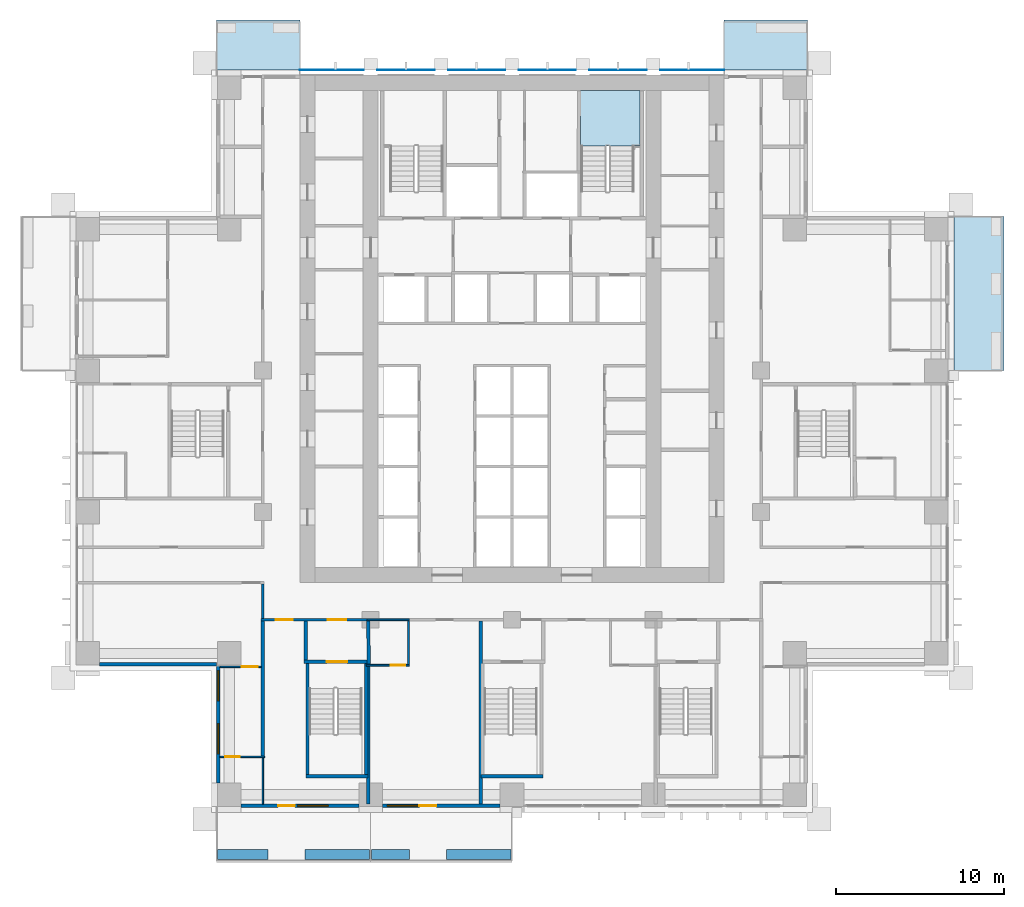
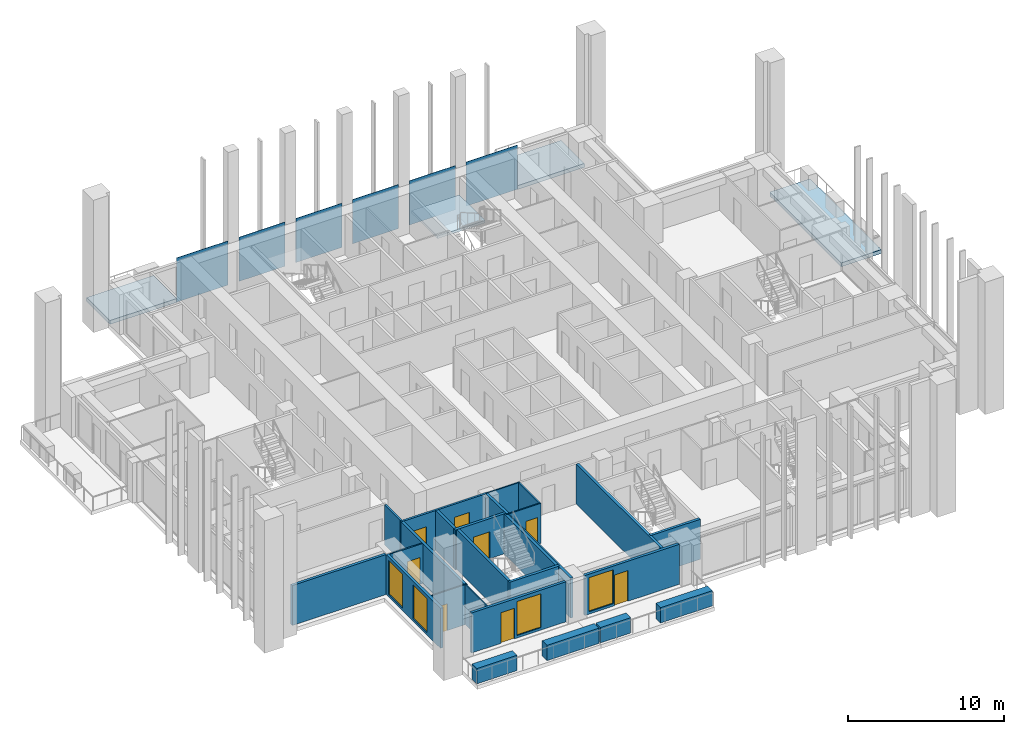
# One storey, part 6 of 17: 26 walls, 8 doors, 6 plates, 4 slabs, 4 windows, 12 openings, 1 element without a shape of its own.
"""IFC4 building model written with IfcOpenShell, lengths in metres."""

from ifc_helpers import new_model, si_unit, direction, frame, frame_2d, origin, origin_2d, place, context, subcontext, project, spatial, polyline, rectangle, outline, extrude, material, layer, layer_set, type_object, element, fill, aggregate, save


model = new_model("IFC4")

# Units and contexts
model_context = context("Model", 3, precision=1e-05, world=origin(), true_north=direction((0.0, 1.0)))
body_context = subcontext(model_context, "Body", "Model", "MODEL_VIEW")
ifc_project = project(units=[si_unit("LENGTHUNIT", "METRE"), si_unit("AREAUNIT", "SQUARE_METRE"), si_unit("VOLUMEUNIT", "CUBIC_METRE"), si_unit("PLANEANGLEUNIT", "RADIAN"), si_unit("MASSUNIT", "GRAM", prefix="KILO")], contexts=[model_context])

# Site, building, storey
site_placement = place(None, origin())
site = spatial("IfcSite", under=ifc_project, at=site_placement, CompositionType="ELEMENT")
building_placement = place(site_placement, origin())
building = spatial("IfcBuilding", under=site, at=building_placement, Name="Vermilion Ogive Tower", CompositionType="ELEMENT")
storey_placement = place(building_placement, frame((0.0, 0.0, 37.949951171875)))
storey = spatial("IfcBuildingStorey", under=building, at=storey_placement, Name="L07", CompositionType="ELEMENT", Elevation=37.949951171875)

# Slabs
ifc_material_1 = material(Name="Concrete B40", Category="concrete")
ifc_layer_1 = layer(ifc_material_1, 0.300048828125)
ifc_layer_set_1 = layer_set([ifc_layer_1], Name="Balcony slab")
slab_type_1 = type_object("IfcSlabType", Name="Balcony slab", PredefinedType="FLOOR", material=ifc_layer_set_1)
slab_1_placement = place(storey_placement, frame((0.0, 0.0, -0.33984375)))
element("IfcSlab", 1, at=slab_1_placement, inside=storey, type_object=slab_type_1, Name="Balcony slab E03", PredefinedType="FLOOR", context=body_context, shape_type="SweptSolid", body=[
    extrude(outline(polyline([(29.22998046875, 4.199951171875), (29.22998046875, 13.35009765625), (26.25, 13.35009765625), (26.25, 4.199951171875), (29.22998046875, 4.199951171875)])), origin(), (0.0, 0.0, 1.0), 0.2998046875),
])
slab_2_placement = place(storey_placement, frame((0.0, 0.0, -0.33984375)))
element("IfcSlab", 2, at=slab_2_placement, inside=storey, type_object=slab_type_1, Name="Balcony slab N101", PredefinedType="FLOOR", context=body_context, shape_type="SweptSolid", body=[
    extrude(outline(polyline([(17.550048828125, 25.030029296875), (12.60009765625, 25.030029296875), (12.60009765625, 22.050048828125), (17.550048828125, 22.050048828125), (17.550048828125, 25.030029296875)])), origin(), (0.0, 0.0, 1.0), 0.2998046875),
])
slab_3_placement = place(storey_placement, frame((0.0, 0.0, -0.33984375)))
element("IfcSlab", 3, at=slab_3_placement, inside=storey, type_object=slab_type_1, Name="Balcony slab N201", PredefinedType="FLOOR", context=body_context, shape_type="SweptSolid", body=[
    extrude(outline(polyline([(-12.60009765625, 25.030029296875), (-17.550048828125, 25.030029296875), (-17.550048828125, 22.050048828125), (-12.60009765625, 22.050048828125), (-12.60009765625, 25.030029296875)])), origin(), (0.0, 0.0, 1.0), 0.2998046875),
])

# Plates
ifc_material_2 = material(Name="Low-iron laminated glazing in aluminium frame", Category="aluminium")
ifc_layer_2 = layer(ifc_material_2, 0.031982421875)
ifc_layer_set_2 = layer_set([ifc_layer_2], Name="Glazed rainscreen sheet 32")
plate_type = type_object("IfcPlateType", Name="Glazed rainscreen sheet 32", PredefinedType="SHEET", material=ifc_layer_set_2)
plate_1_placement = place(storey_placement, frame((-10.7099609375, 22.06591796875, -0.31982421875), z_axis=(0.0, 0.0, 1.0), x_axis=(1.0, 0.0, 0.0)))
element("IfcPlate", 4, at=plate_1_placement, inside=storey, type_object=plate_type, Name="Glazed rainscreen sheet N1", PredefinedType="SHEET", context=body_context, shape_type="SweptSolid", body=[
    extrude(rectangle(XDim=3.820068359375, YDim=0.031982421875, at=origin_2d()), origin(), (0.0, 0.0, 1.0), 3.449951171875),
])
for number, where, z_axis, x_axis, name in (
    (5, (-6.300048828125, 22.06591796875, -0.31982421875), (0.0, 0.0, 1.0), (1.0, 0.0, 0.0), "Glazed rainscreen sheet N2"),
    (6, (-2.10009765625, 22.06591796875, -0.31982421875), (0.0, 0.0, 1.0), (1.0, 0.0, 0.0), "Glazed rainscreen sheet N3"),
    (7, (2.10009765625, 22.06591796875, -0.31982421875), (0.0, 0.0, 1.0), (1.0, 0.0, 0.0), "Glazed rainscreen sheet N4"),
    (8, (6.300048828125, 22.06591796875, -0.31982421875), (0.0, 0.0, 1.0), (1.0, 0.0, 0.0), "Glazed rainscreen sheet N5"),
):
    element("IfcPlate", number, at=place(storey_placement, frame(where, z_axis=z_axis, x_axis=x_axis)), inside=storey, type_object=plate_type, Name=name, PredefinedType="SHEET", context=body_context, shape_type="SweptSolid", body=[
        extrude(rectangle(XDim=3.39990234375, YDim=0.031982421875, at=origin_2d()), origin(), (0.0, 0.0, 1.0), 3.449951171875),
    ])
plate_2_placement = place(storey_placement, frame((10.7099609375, 22.06591796875, -0.31982421875), z_axis=(0.0, 0.0, 1.0), x_axis=(1.0, 0.0, 0.0)))
element("IfcPlate", 9, at=plate_2_placement, inside=storey, type_object=plate_type, Name="Glazed rainscreen sheet N6", PredefinedType="SHEET", context=body_context, shape_type="SweptSolid", body=[
    extrude(rectangle(XDim=3.820068359375, YDim=0.031982421875, at=origin_2d()), origin(), (0.0, 0.0, 1.0), 3.449951171875),
])

# Stair, slab
ifc_material_3 = material(Name="Concrete B40", Category="concrete")
stair_type = type_object("IfcStairType", Name="Exit stair 1500", PredefinedType="HALF_TURN_STAIR", material=ifc_material_3)
stair_placement = place(storey_placement, origin())
stair = element("IfcStair", 10, at=stair_placement, inside=storey, type_object=stair_type, Name="L07 Exit Stair ST2", PredefinedType="HALF_TURN_STAIR")
ifc_material_4 = material(Name="Concrete B40", Category="concrete")
ifc_layer_3 = layer(ifc_material_4, 0.199951171875)
ifc_layer_set_3 = layer_set([ifc_layer_3], Name="Stair landing 200")
slab_type_2 = type_object("IfcSlabType", Name="Stair landing 200", PredefinedType="LANDING", material=ifc_layer_set_3)
slab_4_placement = place(storey_placement, frame((0.0, 0.0, 1.525146484375)))
slab_4 = element("IfcSlab", 11, at=slab_4_placement, type_object=slab_type_2, Name="ST2 landing 1", PredefinedType="LANDING", context=body_context, shape_type="SweptSolid", body=[
    extrude(outline(polyline([(5.60009765625, 17.550048828125), (5.75, 17.550048828125), (5.75, 17.548095703125), (7.25, 17.548095703125), (7.25, 17.550048828125), (7.60009765625, 17.550048828125), (7.60009765625, 20.85009765625), (4.074951171875, 20.85009765625), (4.074951171875, 17.550048828125), (4.10009765625, 17.550048828125), (4.10009765625, 17.548095703125), (5.60009765625, 17.548095703125), (5.60009765625, 17.550048828125)])), origin(), (0.0, 0.0, 1.0), 0.199951171875),
])
aggregate(stair, [slab_4])

# Wall, opening, door
ifc_material_5 = material(Name="Gypsum board partition on steel studs", Category="steel")
ifc_layer_4 = layer(ifc_material_5, 0.10009765625)
ifc_layer_set_4 = layer_set([ifc_layer_4], Name="Partition 100 bath")
wall_type_1 = type_object("IfcWallType", Name="Partition 100 bath", PredefinedType="PARTITIONING", material=ifc_layer_set_4)
wall_1_placement = place(storey_placement, frame((-17.35009765625, -18.75, 0.0), z_axis=(0.0, 0.0, 1.0), x_axis=(1.0, 0.0, 0.0)))
wall_1 = element("IfcWall", 12, at=wall_1_placement, inside=storey, type_object=wall_type_1, Name="L07-W-W004", PredefinedType="PARTITIONING", context=body_context, shape_type="SweptSolid", body=[
    extrude(rectangle(XDim=2.650146484375, YDim=0.10009765625, at=frame_2d((1.3251953125, 0.0))), origin(), (0.0, 0.0, 1.0), 3.130126953125),
])
opening_1_placement = place(wall_1_placement, frame((0.3251953125, 0.0, 0.0)))
opening_1 = element("IfcOpeningElement", 13, at=opening_1_placement, cuts=wall_1, Name="Opening D1G2003", PredefinedType="OPENING", context=body_context, shape_type="SweptSolid", body=[
    extrude(rectangle(XDim=0.85009765625, YDim=2.10009765625, at=frame_2d((0.425048828125, 1.050048828125))), frame((0.0, 0.06005859375, 0.0), z_axis=(0.0, -1.0, 0.0), x_axis=(1.0, 0.0, 0.0)), (0.0, 0.0, 1.0), 0.1201171875),
])
ifc_material_6 = material(Name="Timber door leaf", Category="wood")
door_type_1 = type_object("IfcDoorType", Name="Bath door 850 x 2100 FD30", OperationType="SINGLE_SWING_LEFT", PredefinedType="DOOR", material=ifc_material_6)
door_1_placement = place(opening_1_placement, origin())
door_1 = element("IfcDoor", 14, at=door_1_placement, inside=storey, type_object=door_type_1, Name="L07-D-D003", OperationType="SINGLE_SWING_RIGHT", OverallHeight=2.10009765625, OverallWidth=0.85009765625, PredefinedType="DOOR", context=body_context, shape_type="SweptSolid", body=[
    extrude(rectangle(XDim=0.85009765625, YDim=2.10009765625, at=frame_2d((0.425048828125, 1.050048828125))), frame((0.0, 0.02490234375, 0.0), z_axis=(0.0, -1.0, 0.0), x_axis=(1.0, 0.0, 0.0)), (0.0, 0.0, 1.0), 0.050048828125),
])
fill(opening_1, door_1)

wall_2_placement = place(storey_placement, frame((-8.64990234375, -13.300048828125, 0.0), z_axis=(0.0, 0.0, 1.0), x_axis=(1.0, 0.0, 0.0)))
wall_2 = element("IfcWall", 15, at=wall_2_placement, inside=storey, type_object=wall_type_1, Name="L07-W-W008", PredefinedType="PARTITIONING", context=body_context, shape_type="SweptSolid", body=[
    extrude(rectangle(XDim=2.5498046875, YDim=0.10009765625, at=frame_2d((1.27490234375, 0.0))), origin(), (0.0, 0.0, 1.0), 3.130126953125),
])
opening_2_placement = place(wall_2_placement, frame((1.449951171875, 0.0, 0.0)))
opening_2 = element("IfcOpeningElement", 16, at=opening_2_placement, cuts=wall_2, Name="Opening D1G2012", PredefinedType="OPENING", context=body_context, shape_type="SweptSolid", body=[
    extrude(rectangle(XDim=0.85009765625, YDim=2.10009765625, at=frame_2d((0.425048828125, 1.050048828125))), frame((0.0, 0.06005859375, 0.0), z_axis=(0.0, -1.0, 0.0), x_axis=(1.0, 0.0, 0.0)), (0.0, 0.0, 1.0), 0.1201171875),
])
door_2_placement = place(opening_2_placement, origin())
door_2 = element("IfcDoor", 17, at=door_2_placement, inside=storey, type_object=door_type_1, Name="L07-D-D012", OperationType="SINGLE_SWING_LEFT", OverallHeight=2.10009765625, OverallWidth=0.85009765625, PredefinedType="DOOR", context=body_context, shape_type="SweptSolid", body=[
    extrude(rectangle(XDim=0.85009765625, YDim=2.10009765625, at=frame_2d((0.425048828125, 1.050048828125))), frame((0.0, 0.02490234375, 0.0), z_axis=(0.0, -1.0, 0.0), x_axis=(1.0, 0.0, 0.0)), (0.0, 0.0, 1.0), 0.050048828125),
])
fill(opening_2, door_2)

# Walls
wall_3_placement = place(storey_placement, frame((-8.60009765625, -10.60009765625, 0.0), z_axis=(0.0, 0.0, 1.0), x_axis=(1.0, 0.0, 0.0)))
element("IfcWall", 18, at=wall_3_placement, inside=storey, type_object=wall_type_1, Name="L07-W-W014", PredefinedType="PARTITIONING", context=body_context, shape_type="SweptSolid", body=[
    extrude(rectangle(XDim=2.5, YDim=0.10009765625, at=frame_2d((1.25, 0.0))), origin(), (0.0, 0.0, 1.0), 3.130126953125),
])
wall_4_placement = place(storey_placement, frame((-14.800048828125, -21.550048828125, 0.0), z_axis=(0.0, 0.0, 1.0), x_axis=(0.0, 1.0, 0.0)))
element("IfcWall", 19, at=wall_4_placement, inside=storey, type_object=wall_type_1, Name="L07-W-W045", PredefinedType="PARTITIONING", context=body_context, shape_type="SweptSolid", body=[
    extrude(rectangle(XDim=2.75, YDim=0.10009765625, at=frame_2d((1.375, 0.0))), origin(), (0.0, 0.0, 1.0), 3.130126953125),
])
wall_5_placement = place(storey_placement, frame((-6.14990234375, -13.25, 0.0), z_axis=(0.0, 0.0, 1.0), x_axis=(0.0, 1.0, 0.0)))
element("IfcWall", 20, at=wall_5_placement, inside=storey, type_object=wall_type_1, Name="L07-W-W054", PredefinedType="PARTITIONING", context=body_context, shape_type="SweptSolid", body=[
    extrude(rectangle(XDim=2.574951171875, YDim=0.10009765625, at=frame_2d((1.28759765625, 0.0))), origin(), (0.0, 0.0, 1.0), 3.130126953125),
])

# Wall, opening, door
ifc_material_7 = material(Name="Gypsum board partition on steel studs", Category="steel")
ifc_layer_5 = layer(ifc_material_7, 0.10009765625)
ifc_layer_set_5 = layer_set([ifc_layer_5], Name="Partition 100 inner")
wall_type_2 = type_object("IfcWallType", Name="Partition 100 inner", PredefinedType="PARTITIONING", material=ifc_layer_set_5)
wall_6_placement = place(storey_placement, frame((-17.35009765625, -13.39990234375, 0.0), z_axis=(0.0, 0.0, 1.0), x_axis=(1.0, 0.0, 0.0)))
wall_6 = element("IfcWall", 21, at=wall_6_placement, inside=storey, type_object=wall_type_2, Name="L07-W-W006", PredefinedType="PARTITIONING", context=body_context, shape_type="SweptSolid", body=[
    extrude(rectangle(XDim=2.4501953125, YDim=0.10009765625, at=frame_2d((1.22509765625, 0.0))), origin(), (0.0, 0.0, 1.0), 3.130126953125),
])
opening_3_placement = place(wall_6_placement, frame((1.300048828125, 0.0, 0.0)))
opening_3 = element("IfcOpeningElement", 22, at=opening_3_placement, cuts=wall_6, Name="Opening D1G2002", PredefinedType="OPENING", context=body_context, shape_type="SweptSolid", body=[
    extrude(rectangle(XDim=0.949951171875, YDim=2.10009765625, at=frame_2d((0.47509765625, 1.050048828125))), frame((0.0, 0.06005859375, 0.0), z_axis=(0.0, -1.0, 0.0), x_axis=(1.0, 0.0, 0.0)), (0.0, 0.0, 1.0), 0.1201171875),
])
ifc_material_8 = material(Name="Timber door leaf", Category="wood")
door_type_2 = type_object("IfcDoorType", Name="Inner door 950 x 2100 FD30", OperationType="SINGLE_SWING_LEFT", PredefinedType="DOOR", material=ifc_material_8)
door_3_placement = place(opening_3_placement, origin())
door_3 = element("IfcDoor", 23, at=door_3_placement, inside=storey, type_object=door_type_2, Name="L07-D-D002", OperationType="SINGLE_SWING_RIGHT", OverallHeight=2.10009765625, OverallWidth=0.949951171875, PredefinedType="DOOR", context=body_context, shape_type="SweptSolid", body=[
    extrude(rectangle(XDim=0.949951171875, YDim=2.10009765625, at=frame_2d((0.47509765625, 1.050048828125))), frame((0.0, 0.02490234375, 0.0), z_axis=(0.0, -1.0, 0.0), x_axis=(1.0, 0.0, 0.0)), (0.0, 0.0, 1.0), 0.050048828125),
])
fill(opening_3, door_3)

# Wall, openings, doors
ifc_material_9 = material(Name="Gypsum board partition on steel studs", Category="steel")
ifc_layer_6 = layer(ifc_material_9, 0.14990234375)
ifc_layer_set_6 = layer_set([ifc_layer_6], Name="Partition 150 corridor")
wall_type_3 = type_object("IfcWallType", Name="Partition 150 corridor", PredefinedType="PARTITIONING", material=ifc_layer_set_6)
wall_7_placement = place(storey_placement, frame((-14.89990234375, -10.60009765625, 0.0), z_axis=(0.0, 0.0, 1.0), x_axis=(1.0, 0.0, 0.0)))
wall_7 = element("IfcWall", 24, at=wall_7_placement, inside=storey, type_object=wall_type_3, Name="L07-W-W013", PredefinedType="PARTITIONING", context=body_context, shape_type="SweptSolid", body=[
    extrude(rectangle(XDim=6.39990234375, YDim=0.14990234375, at=frame_2d((3.199951171875, 0.0))), origin(), (0.0, 0.0, 1.0), 3.130126953125),
])
opening_4_placement = place(wall_7_placement, frame((3.949951171875, 0.0, 0.0)))
opening_4 = element("IfcOpeningElement", 25, at=opening_4_placement, cuts=wall_7, Name="Opening D1G2025", PredefinedType="OPENING", context=body_context, shape_type="SweptSolid", body=[
    extrude(rectangle(XDim=1.10009765625, YDim=2.10009765625, at=frame_2d((0.550048828125, 1.050048828125))), frame((0.0, 0.0849609375, 0.0), z_axis=(0.0, -1.0, 0.0), x_axis=(1.0, 0.0, 0.0)), (0.0, 0.0, 1.0), 0.169921875),
])
opening_5_placement = place(wall_7_placement, frame((0.875, 0.0, 0.0)))
opening_5 = element("IfcOpeningElement", 26, at=opening_5_placement, cuts=wall_7, Name="Opening D1G2035", PredefinedType="OPENING", context=body_context, shape_type="SweptSolid", body=[
    extrude(rectangle(XDim=1.0, YDim=2.10009765625, at=frame_2d((0.5, 1.050048828125))), frame((0.0, 0.0849609375, 0.0), z_axis=(0.0, -1.0, 0.0), x_axis=(1.0, 0.0, 0.0)), (0.0, 0.0, 1.0), 0.169921875),
])
ifc_material_10 = material(Name="Timber door leaf", Category="wood")
door_type_3 = type_object("IfcDoorType", Name="Stair door 1100 x 2100 FD60S", OperationType="SINGLE_SWING_LEFT", PredefinedType="DOOR", material=ifc_material_10)
door_4_placement = place(opening_4_placement, origin())
door_4 = element("IfcDoor", 27, at=door_4_placement, inside=storey, type_object=door_type_3, Name="L07-D-D025", OperationType="SINGLE_SWING_RIGHT", OverallHeight=2.10009765625, OverallWidth=1.10009765625, PredefinedType="DOOR", context=body_context, shape_type="SweptSolid", body=[
    extrude(rectangle(XDim=1.10009765625, YDim=2.10009765625, at=frame_2d((0.550048828125, 1.050048828125))), frame((0.0, 0.02490234375, 0.0), z_axis=(0.0, -1.0, 0.0), x_axis=(1.0, 0.0, 0.0)), (0.0, 0.0, 1.0), 0.050048828125),
])
fill(opening_4, door_4)
ifc_material_11 = material(Name="Timber door leaf", Category="wood")
door_type_4 = type_object("IfcDoorType", Name="Unit door 1000 x 2100 FD30S", OperationType="SINGLE_SWING_LEFT", PredefinedType="DOOR", material=ifc_material_11)
door_5_placement = place(opening_5_placement, origin())
door_5 = element("IfcDoor", 28, at=door_5_placement, inside=storey, type_object=door_type_4, Name="L07-D-D035", OperationType="SINGLE_SWING_RIGHT", OverallHeight=2.10009765625, OverallWidth=1.0, PredefinedType="DOOR", context=body_context, shape_type="SweptSolid", body=[
    extrude(rectangle(XDim=1.0, YDim=2.10009765625, at=frame_2d((0.5, 1.050048828125))), frame((0.0, 0.02490234375, 0.0), z_axis=(0.0, -1.0, 0.0), x_axis=(1.0, 0.0, 0.0)), (0.0, 0.0, 1.0), 0.050048828125),
])
fill(opening_5, door_5)

# Walls
wall_8_placement = place(storey_placement, frame((-14.800048828125, -10.52490234375, 0.0), z_axis=(0.0, 0.0, 1.0), x_axis=(0.0, 1.0, 0.0)))
element("IfcWall", 29, at=wall_8_placement, inside=storey, type_object=wall_type_3, Name="L07-W-W047", PredefinedType="PARTITIONING", context=body_context, shape_type="SweptSolid", body=[
    extrude(rectangle(XDim=2.0498046875, YDim=0.14990234375, at=frame_2d((1.02490234375, 0.0))), origin(), (0.0, 0.0, 1.0), 3.130126953125),
])
ifc_material_12 = material(Name="Gypsum board partition on steel studs", Category="steel")
ifc_layer_7 = layer(ifc_material_12, 0.199951171875)
ifc_layer_set_7 = layer_set([ifc_layer_7], Name="Partition 200 party")
wall_type_4 = type_object("IfcWallType", Name="Partition 200 party", PredefinedType="PARTITIONING", material=ifc_layer_set_7)
wall_9_placement = place(storey_placement, frame((-14.800048828125, -18.699951171875, 0.0), z_axis=(0.0, 0.0, 1.0), x_axis=(0.0, 1.0, 0.0)))
element("IfcWall", 30, at=wall_9_placement, inside=storey, type_object=wall_type_4, Name="L07-W-W046", PredefinedType="PARTITIONING", context=body_context, shape_type="SweptSolid", body=[
    extrude(rectangle(XDim=8.02490234375, YDim=0.199951171875, at=frame_2d((4.012451171875, 0.0))), origin(), (0.0, 0.0, 1.0), 3.130126953125),
])
ifc_material_13 = material(Name="Concrete B60", Category="concrete")
ifc_layer_8 = layer(ifc_material_13, 0.199951171875)
ifc_layer_set_8 = layer_set([ifc_layer_8], Name="Stair shaft wall 200 Concrete B60")
wall_type_5 = type_object("IfcWallType", Name="Stair shaft wall 200 Concrete B60", PredefinedType="SOLIDWALL", material=ifc_layer_set_8)
wall_10_placement = place(storey_placement, frame((-12.248046875, -19.89990234375, 0.0), z_axis=(0.0, 0.0, 1.0), x_axis=(1.0, 0.0, 0.0)))
element("IfcWall", 31, at=wall_10_placement, inside=storey, type_object=wall_type_5, Name="L07-W-W001", PredefinedType="SOLIDWALL", context=body_context, shape_type="SweptSolid", body=[
    extrude(rectangle(XDim=3.696044921875, YDim=0.199951171875, at=frame_2d((1.84814453125, 0.0))), origin(), (0.0, 0.0, 1.0), 3.130126953125),
])
wall_11_placement = place(storey_placement, frame((-1.847900390625, -19.89990234375, 0.0), z_axis=(0.0, 0.0, 1.0), x_axis=(1.0, 0.0, 0.0)))
element("IfcWall", 32, at=wall_11_placement, inside=storey, type_object=wall_type_5, Name="L07-W-W002", PredefinedType="SOLIDWALL", context=body_context, shape_type="SweptSolid", body=[
    extrude(rectangle(XDim=3.69580078125, YDim=0.199951171875, at=frame_2d((1.847900390625, 0.0))), origin(), (0.0, 0.0, 1.0), 3.130126953125),
])

# Wall, opening, door
wall_12_placement = place(storey_placement, frame((-12.347900390625, -13.10009765625, 0.0), z_axis=(0.0, 0.0, 1.0), x_axis=(1.0, 0.0, 0.0)))
wall_12 = element("IfcWall", 33, at=wall_12_placement, inside=storey, type_object=wall_type_5, Name="L07-W-W010", PredefinedType="SOLIDWALL", context=body_context, shape_type="SweptSolid", body=[
    extrude(rectangle(XDim=3.745849609375, YDim=0.199951171875, at=frame_2d((1.873046875, 0.0))), origin(), (0.0, 0.0, 1.0), 3.130126953125),
])
opening_6_placement = place(wall_12_placement, frame((1.347900390625, 0.0, 0.0)))
opening_6 = element("IfcOpeningElement", 34, at=opening_6_placement, cuts=wall_12, Name="Opening D1G2026", PredefinedType="OPENING", context=body_context, shape_type="SweptSolid", body=[
    extrude(rectangle(XDim=1.199951171875, YDim=2.10009765625, at=frame_2d((0.60009765625, 1.050048828125))), frame((0.0, 0.10986328125, 0.0), z_axis=(0.0, -1.0, 0.0), x_axis=(1.0, 0.0, 0.0)), (0.0, 0.0, 1.0), 0.219970703125),
])
ifc_material_14 = material(Name="Timber door leaf", Category="wood")
door_type_5 = type_object("IfcDoorType", Name="Stair door 1200 x 2100 FD60S", OperationType="SINGLE_SWING_LEFT", PredefinedType="DOOR", material=ifc_material_14)
door_6_placement = place(opening_6_placement, origin())
door_6 = element("IfcDoor", 35, at=door_6_placement, inside=storey, type_object=door_type_5, Name="L07-D-D026", OperationType="SINGLE_SWING_RIGHT", OverallHeight=2.10009765625, OverallWidth=1.199951171875, PredefinedType="DOOR", context=body_context, shape_type="SweptSolid", body=[
    extrude(rectangle(XDim=1.199951171875, YDim=2.10009765625, at=frame_2d((0.60009765625, 1.050048828125))), frame((0.0, 0.02490234375, 0.0), z_axis=(0.0, -1.0, 0.0), x_axis=(1.0, 0.0, 0.0)), (0.0, 0.0, 1.0), 0.050048828125),
])
fill(opening_6, door_6)

# Walls
wall_13_placement = place(storey_placement, frame((-12.25, -12.998046875, 0.0), z_axis=(0.0, 0.0, 1.0), x_axis=(0.0, 1.0, 0.0)))
element("IfcWall", 36, at=wall_13_placement, inside=storey, type_object=wall_type_5, Name="L07-W-W049", PredefinedType="SOLIDWALL", context=body_context, shape_type="SweptSolid", body=[
    extrude(rectangle(XDim=2.322998046875, YDim=0.199951171875, at=frame_2d((1.16162109375, 0.0))), origin(), (0.0, 0.0, 1.0), 3.130126953125),
])
for number, where, z_axis, x_axis, name in (
    (37, (-12.14990234375, -19.798095703125, 0.0), (0.0, 0.0, 1.0), (0.0, 1.0, 0.0), "L07-W-W050"),
    (38, (-8.64990234375, -19.798095703125, 0.0), (0.0, 0.0, 1.0), (0.0, 1.0, 0.0), "L07-W-W051"),
):
    element("IfcWall", number, at=place(storey_placement, frame(where, z_axis=z_axis, x_axis=x_axis)), inside=storey, type_object=wall_type_5, Name=name, PredefinedType="SOLIDWALL", context=body_context, shape_type="SweptSolid", body=[
        extrude(rectangle(XDim=6.59619140625, YDim=0.199951171875, at=frame_2d((3.298095703125, 0.0))), origin(), (0.0, 0.0, 1.0), 3.130126953125),
    ])
wall_14_placement = place(storey_placement, frame((-8.5, -13.25, 0.0), z_axis=(0.0, 0.0, 1.0), x_axis=(-0.019062755699, 0.999818289163, 0.0)))
element("IfcWall", 39, at=wall_14_placement, inside=storey, type_object=wall_type_5, Name="L07-W-W053", PredefinedType="SOLIDWALL", context=body_context, shape_type="SweptSolid", body=[
    extrude(rectangle(XDim=2.62548828125, YDim=0.199951171875, at=frame_2d((1.312744140625, 0.0))), origin(), (0.0, 0.0, 1.0), 3.130126953125),
])
wall_15_placement = place(storey_placement, frame((-1.85009765625, -21.550048828125, 0.0), z_axis=(0.0, 0.0, 1.0), x_axis=(0.0, 1.0, 0.0)))
element("IfcWall", 40, at=wall_15_placement, inside=storey, type_object=wall_type_5, Name="L07-W-W055-A-A", PredefinedType="SOLIDWALL", context=body_context, shape_type="SweptSolid", body=[
    extrude(rectangle(XDim=10.875, YDim=0.199951171875, at=frame_2d((5.4375, 0.0))), origin(), (0.0, 0.0, 1.0), 3.130126953125),
])
wall_16_placement = place(storey_placement, frame((-8.550048828125, -21.550048828125, 0.0), z_axis=(0.0, 0.0, 1.0), x_axis=(0.0, 1.0, 0.0)))
element("IfcWall", 41, at=wall_16_placement, inside=storey, type_object=wall_type_5, Name="L07-W-W052-A", PredefinedType="SOLIDWALL", context=body_context, shape_type="SweptSolid", body=[
    extrude(rectangle(XDim=8.199951171875, YDim=0.199951171875, at=frame_2d((4.10009765625, 0.0))), origin(), (0.0, 0.0, 1.0), 3.130126953125),
])
ifc_material_15 = material(Name="Concrete B40", Category="concrete")
ifc_layer_9 = layer(ifc_material_15, 0.60009765625)
ifc_layer_set_9 = layer_set([ifc_layer_9], Name="Structural planter")
wall_type_6 = type_object("IfcWallType", Name="Structural planter", PredefinedType="USERDEFINED", material=ifc_layer_set_9)
wall_17_placement = place(storey_placement, frame((-17.489990234375, -24.550048828125, -0.0400390625), z_axis=(0.0, 0.0, 1.0), x_axis=(1.0, 0.0, 0.0)))
element("IfcWall", 42, at=wall_17_placement, inside=storey, type_object=wall_type_6, Name="Planter S01A1", ObjectType="PLANTER", PredefinedType="USERDEFINED", context=body_context, shape_type="SweptSolid", body=[
    extrude(rectangle(XDim=2.989990234375, YDim=0.60009765625, at=frame_2d((1.4951171875, 0.0))), origin(), (0.0, 0.0, 1.0), 1.2001953125),
])
wall_18_placement = place(storey_placement, frame((-12.300048828125, -24.550048828125, -0.0400390625), z_axis=(0.0, 0.0, 1.0), x_axis=(1.0, 0.0, 0.0)))
element("IfcWall", 43, at=wall_18_placement, inside=storey, type_object=wall_type_6, Name="Planter S01A2", ObjectType="PLANTER", PredefinedType="USERDEFINED", context=body_context, shape_type="SweptSolid", body=[
    extrude(rectangle(XDim=3.840087890625, YDim=0.60009765625, at=frame_2d((1.919921875, 0.0))), origin(), (0.0, 0.0, 1.0), 1.2001953125),
])
wall_19_placement = place(storey_placement, frame((-8.340087890625, -24.550048828125, -0.0400390625), z_axis=(0.0, 0.0, 1.0), x_axis=(1.0, 0.0, 0.0)))
element("IfcWall", 44, at=wall_19_placement, inside=storey, type_object=wall_type_6, Name="Planter S02A1", ObjectType="PLANTER", PredefinedType="USERDEFINED", context=body_context, shape_type="SweptSolid", body=[
    extrude(rectangle(XDim=2.239990234375, YDim=0.60009765625, at=frame_2d((1.1201171875, 0.0))), origin(), (0.0, 0.0, 1.0), 1.2001953125),
])
wall_20_placement = place(storey_placement, frame((-3.89990234375, -24.550048828125, -0.0400390625), z_axis=(0.0, 0.0, 1.0), x_axis=(1.0, 0.0, 0.0)))
element("IfcWall", 45, at=wall_20_placement, inside=storey, type_object=wall_type_6, Name="Planter S02A2", ObjectType="PLANTER", PredefinedType="USERDEFINED", context=body_context, shape_type="SweptSolid", body=[
    extrude(rectangle(XDim=3.83984375, YDim=0.60009765625, at=frame_2d((1.919921875, 0.0))), origin(), (0.0, 0.0, 1.0), 1.2001953125),
])

# Wall, openings, door, window
ifc_material_16 = material(Name="Aluminium window wall framing", Category="aluminium")
ifc_layer_10 = layer(ifc_material_16, 0.199951171875)
ifc_layer_set_10 = layer_set([ifc_layer_10], Name="Window wall")
wall_type_7 = type_object("IfcWallType", Name="Window wall", PredefinedType="STANDARD", material=ifc_layer_set_10)
wall_21_placement = place(storey_placement, frame((-16.10009765625, -21.64990234375, 0.0), z_axis=(0.0, 0.0, 1.0), x_axis=(1.0, 0.0, 0.0)))
wall_21 = element("IfcWall", 46, at=wall_21_placement, inside=storey, type_object=wall_type_7, Name="Window wall S1", PredefinedType="STANDARD", context=body_context, shape_type="SweptSolid", body=[
    extrude(rectangle(XDim=7.0, YDim=0.199951171875, at=frame_2d((3.5, 0.0))), origin(), (0.0, 0.0, 1.0), 3.130126953125),
])
opening_7_placement = place(wall_21_placement, frame((3.3701171875, 0.0, 0.199951171875)))
opening_7 = element("IfcOpeningElement", 47, at=opening_7_placement, cuts=wall_21, Name="Opening W1-S96", PredefinedType="OPENING", context=body_context, shape_type="SweptSolid", body=[
    extrude(rectangle(XDim=1.800048828125, YDim=2.64990234375, at=frame_2d((0.89990234375, 1.324951171875))), frame((0.0, 0.10986328125, 0.0), z_axis=(0.0, -1.0, 0.0), x_axis=(1.0, 0.0, 0.0)), (0.0, 0.0, 1.0), 0.219970703125),
])
opening_8_placement = place(wall_21_placement, frame((2.199951171875, 0.0, 0.0)))
opening_8 = element("IfcOpeningElement", 48, at=opening_8_placement, cuts=wall_21, Name="Opening D1-S96", PredefinedType="OPENING", context=body_context, shape_type="SweptSolid", body=[
    extrude(rectangle(XDim=1.0, YDim=2.39990234375, at=frame_2d((0.5, 1.199951171875))), frame((0.0, 0.10986328125, 0.0), z_axis=(0.0, -1.0, 0.0), x_axis=(1.0, 0.0, 0.0)), (0.0, 0.0, 1.0), 0.219970703125),
])
ifc_material_17 = material(Name="Aluminium framed glazed door", Category="aluminium")
door_type_6 = type_object("IfcDoorType", Name="Balcony door D1", OperationType="SINGLE_SWING_LEFT", PredefinedType="DOOR", material=ifc_material_17)
door_7_placement = place(opening_8_placement, origin())
door_7 = element("IfcDoor", 49, at=door_7_placement, inside=storey, type_object=door_type_6, Name="Balcony door S96", OperationType="SINGLE_SWING_LEFT", OverallHeight=2.39990234375, OverallWidth=1.0, PredefinedType="DOOR", context=body_context, shape_type="SweptSolid", body=[
    extrude(rectangle(XDim=1.0, YDim=2.39990234375, at=frame_2d((0.5, 1.199951171875))), frame((0.0, 0.02490234375, 0.0), z_axis=(0.0, -1.0, 0.0), x_axis=(1.0, 0.0, 0.0)), (0.0, 0.0, 1.0), 0.050048828125),
])
fill(opening_8, door_7)
ifc_material_18 = material(Name="Aluminium framed double glazing", Category="aluminium")
window_type = type_object("IfcWindowType", Name="Guest window W1", PartitioningType="SINGLE_PANEL", PredefinedType="WINDOW", material=ifc_material_18)
window_1_placement = place(opening_7_placement, origin())
window_1 = element("IfcWindow", 50, at=window_1_placement, inside=storey, type_object=window_type, Name="Window S96", OverallHeight=2.64990234375, OverallWidth=1.800048828125, PartitioningType="SINGLE_PANEL", PredefinedType="WINDOW", context=body_context, shape_type="SweptSolid", body=[
    extrude(rectangle(XDim=1.800048828125, YDim=2.64990234375, at=frame_2d((0.89990234375, 1.324951171875))), frame((0.0, 0.030029296875, 0.0), z_axis=(0.0, -1.0, 0.0), x_axis=(1.0, 0.0, 0.0)), (0.0, 0.0, 1.0), 0.06005859375),
])
fill(opening_7, window_1)

wall_22_placement = place(storey_placement, frame((-7.699951171875, -21.64990234375, 0.0), z_axis=(0.0, 0.0, 1.0), x_axis=(1.0, 0.0, 0.0)))
wall_22 = element("IfcWall", 51, at=wall_22_placement, inside=storey, type_object=wall_type_7, Name="Window wall S2", PredefinedType="STANDARD", context=body_context, shape_type="SweptSolid", body=[
    extrude(rectangle(XDim=7.0, YDim=0.199951171875, at=frame_2d((3.5, 0.0))), origin(), (0.0, 0.0, 1.0), 3.130126953125),
])
opening_9_placement = place(wall_22_placement, frame((0.300048828125, 0.0, 0.199951171875)))
opening_9 = element("IfcOpeningElement", 52, at=opening_9_placement, cuts=wall_22, Name="Opening W1-S98", PredefinedType="OPENING", context=body_context, shape_type="SweptSolid", body=[
    extrude(rectangle(XDim=1.800048828125, YDim=2.64990234375, at=frame_2d((0.89990234375, 1.324951171875))), frame((0.0, 0.10986328125, 0.0), z_axis=(0.0, -1.0, 0.0), x_axis=(1.0, 0.0, 0.0)), (0.0, 0.0, 1.0), 0.219970703125),
])
opening_10_placement = place(wall_22_placement, frame((2.199951171875, 0.0, 0.0)))
opening_10 = element("IfcOpeningElement", 53, at=opening_10_placement, cuts=wall_22, Name="Opening D1-S98", PredefinedType="OPENING", context=body_context, shape_type="SweptSolid", body=[
    extrude(rectangle(XDim=1.0, YDim=2.39990234375, at=frame_2d((0.5, 1.199951171875))), frame((0.0, 0.10986328125, 0.0), z_axis=(0.0, -1.0, 0.0), x_axis=(1.0, 0.0, 0.0)), (0.0, 0.0, 1.0), 0.219970703125),
])
door_8_placement = place(opening_10_placement, origin())
door_8 = element("IfcDoor", 54, at=door_8_placement, inside=storey, type_object=door_type_6, Name="Balcony door S98", OperationType="SINGLE_SWING_LEFT", OverallHeight=2.39990234375, OverallWidth=1.0, PredefinedType="DOOR", context=body_context, shape_type="SweptSolid", body=[
    extrude(rectangle(XDim=1.0, YDim=2.39990234375, at=frame_2d((0.5, 1.199951171875))), frame((0.0, 0.02490234375, 0.0), z_axis=(0.0, -1.0, 0.0), x_axis=(1.0, 0.0, 0.0)), (0.0, 0.0, 1.0), 0.050048828125),
])
fill(opening_10, door_8)
window_2_placement = place(opening_9_placement, origin())
window_2 = element("IfcWindow", 55, at=window_2_placement, inside=storey, type_object=window_type, Name="Window S98", OverallHeight=2.64990234375, OverallWidth=1.800048828125, PartitioningType="SINGLE_PANEL", PredefinedType="WINDOW", context=body_context, shape_type="SweptSolid", body=[
    extrude(rectangle(XDim=1.800048828125, YDim=2.64990234375, at=frame_2d((0.89990234375, 1.324951171875))), frame((0.0, 0.030029296875, 0.0), z_axis=(0.0, -1.0, 0.0), x_axis=(1.0, 0.0, 0.0)), (0.0, 0.0, 1.0), 0.06005859375),
])
fill(opening_9, window_2)

# Wall
wall_23_placement = place(storey_placement, frame((-24.5, -13.25, 0.0), z_axis=(0.0, 0.0, 1.0), x_axis=(1.0, 0.0, 0.0)))
element("IfcWall", 56, at=wall_23_placement, inside=storey, type_object=wall_type_7, Name="Window wall X71", PredefinedType="STANDARD", context=body_context, shape_type="SweptSolid", body=[
    extrude(rectangle(XDim=6.949951171875, YDim=0.199951171875, at=frame_2d((3.47509765625, 0.0))), origin(), (0.0, 0.0, 1.0), 3.130126953125),
])

# Wall, openings, windows
wall_24_placement = place(storey_placement, frame((-17.449951171875, -13.35009765625, 0.0), z_axis=(0.0, 0.0, 1.0), x_axis=(0.0, -1.0, 0.0)))
wall_24 = element("IfcWall", 57, at=wall_24_placement, inside=storey, type_object=wall_type_7, Name="Window wall X81", PredefinedType="STANDARD", context=body_context, shape_type="SweptSolid", body=[
    extrude(rectangle(XDim=6.949951171875, YDim=0.199951171875, at=frame_2d((3.47509765625, 0.0))), origin(), (0.0, 0.0, 1.0), 3.130126953125),
])
opening_11_placement = place(wall_24_placement, frame((3.419921875, 0.0, 0.199951171875)))
opening_11 = element("IfcOpeningElement", 58, at=opening_11_placement, cuts=wall_24, Name="Opening W1-X895", PredefinedType="OPENING", context=body_context, shape_type="SweptSolid", body=[
    extrude(rectangle(XDim=1.800048828125, YDim=2.64990234375, at=frame_2d((0.89990234375, 1.324951171875))), frame((0.0, 0.10986328125, 0.0), z_axis=(0.0, -1.0, 0.0), x_axis=(1.0, 0.0, 0.0)), (0.0, 0.0, 1.0), 0.219970703125),
])
opening_12_placement = place(wall_24_placement, frame((0.27490234375, 0.0, 0.199951171875)))
opening_12 = element("IfcOpeningElement", 59, at=opening_12_placement, cuts=wall_24, Name="Opening W1-X896", PredefinedType="OPENING", context=body_context, shape_type="SweptSolid", body=[
    extrude(rectangle(XDim=1.800048828125, YDim=2.64990234375, at=frame_2d((0.89990234375, 1.324951171875))), frame((0.0, 0.10986328125, 0.0), z_axis=(0.0, -1.0, 0.0), x_axis=(1.0, 0.0, 0.0)), (0.0, 0.0, 1.0), 0.219970703125),
])
window_3_placement = place(opening_11_placement, origin())
window_3 = element("IfcWindow", 60, at=window_3_placement, inside=storey, type_object=window_type, Name="Window X895", OverallHeight=2.64990234375, OverallWidth=1.800048828125, PartitioningType="SINGLE_PANEL", PredefinedType="WINDOW", context=body_context, shape_type="SweptSolid", body=[
    extrude(rectangle(XDim=1.800048828125, YDim=2.64990234375, at=frame_2d((0.89990234375, 1.324951171875))), frame((0.0, 0.030029296875, 0.0), z_axis=(0.0, -1.0, 0.0), x_axis=(1.0, 0.0, 0.0)), (0.0, 0.0, 1.0), 0.06005859375),
])
fill(opening_11, window_3)
window_4_placement = place(opening_12_placement, origin())
window_4 = element("IfcWindow", 61, at=window_4_placement, inside=storey, type_object=window_type, Name="Window X896", OverallHeight=2.64990234375, OverallWidth=1.800048828125, PartitioningType="SINGLE_PANEL", PredefinedType="WINDOW", context=body_context, shape_type="SweptSolid", body=[
    extrude(rectangle(XDim=1.800048828125, YDim=2.64990234375, at=frame_2d((0.89990234375, 1.324951171875))), frame((0.0, 0.030029296875, 0.0), z_axis=(0.0, -1.0, 0.0), x_axis=(1.0, 0.0, 0.0)), (0.0, 0.0, 1.0), 0.06005859375),
])
fill(opening_12, window_4)

save(model, "model.ifc")
